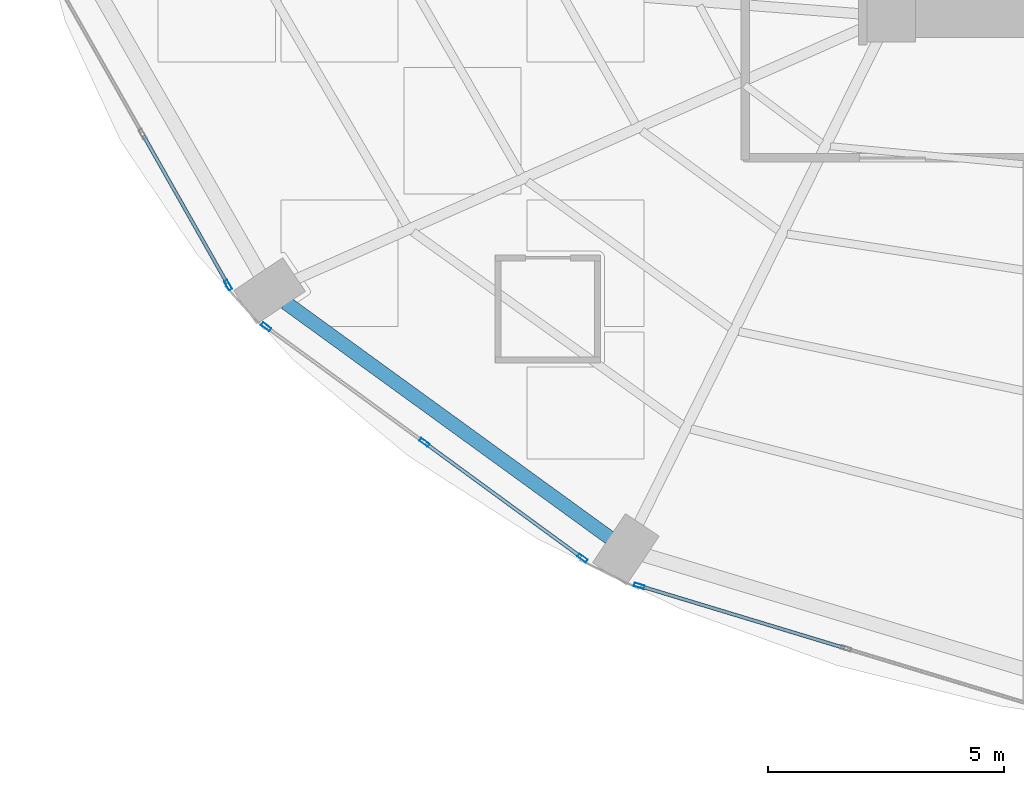
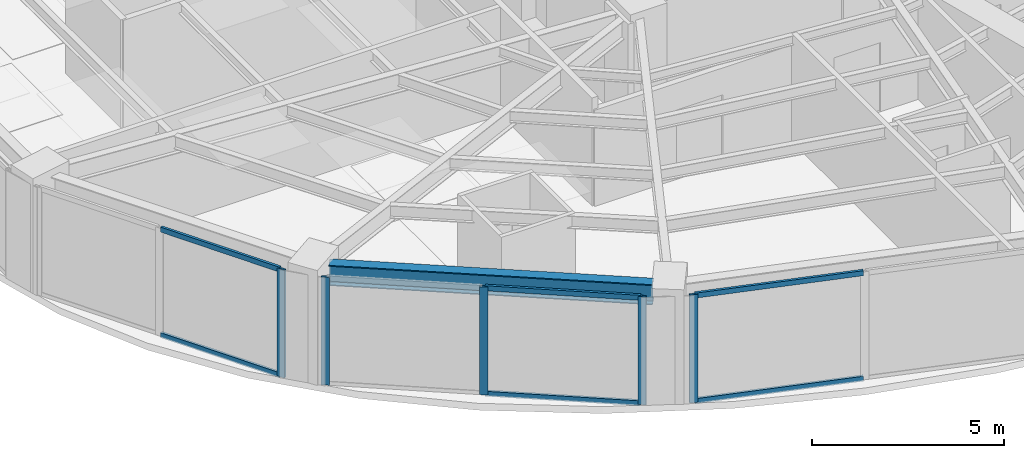
# One storey, part 2 of 25: 11 members, 1 beam, 3 elements without a shape of their own.
"""IFC4 building model written with IfcOpenShell, lengths in metres."""

from ifc_helpers import new_model, si_unit, direction, frame, origin, origin_2d, place, context, subcontext, project, spatial, hollow_rectangle, i_section, extrude, material, layer, layer_set, material_profile, profile_set, type_object, element, aggregate, save


model = new_model("IFC4")

# Units and contexts
model_context = context("Model", 3, precision=1e-05, world=origin(), true_north=direction((0.0, 1.0)))
body_context = subcontext(model_context, "Body", "Model", "MODEL_VIEW")
ifc_project = project(units=[si_unit("LENGTHUNIT", "METRE"), si_unit("AREAUNIT", "SQUARE_METRE"), si_unit("VOLUMEUNIT", "CUBIC_METRE"), si_unit("PLANEANGLEUNIT", "RADIAN"), si_unit("MASSUNIT", "GRAM", prefix="KILO")], contexts=[model_context])

# Site, building, storey
site_placement = place(None, origin())
site = spatial("IfcSite", under=ifc_project, at=site_placement, CompositionType="ELEMENT")
building_placement = place(site_placement, origin())
building = spatial("IfcBuilding", under=site, at=building_placement, Name="Lazwardi Medical Tower", CompositionType="ELEMENT")
storey_placement = place(building_placement, frame((0.0, 0.0, 32.49609375)))
storey = spatial("IfcBuildingStorey", under=building, at=storey_placement, Name="L07", CompositionType="ELEMENT", Elevation=32.49609375)

# Beam
ifc_material_1 = material(Name="Steel S355", Category="steel")
ifc_material_profile_1 = material_profile(ifc_material_1, i_section(OverallWidth=0.300048828125, OverallDepth=0.64990234375, WebThickness=0.01611328125, FlangeThickness=0.031005859375, at=origin_2d()), Name="HEB 650")
ifc_profile_set_1 = profile_set([ifc_material_profile_1], Name="Steel S355")
beam_type = type_object("IfcBeamType", Name="BM-RB-Z1", PredefinedType="BEAM", material=ifc_profile_set_1)
beam_placement = place(storey_placement, frame((13.6201171875, 14.339111328125, 3.10302734375), z_axis=(0.809407079515, -0.587247971159, 0.0), x_axis=(0.587247971159, 0.809407079515, 0.0)))
element("IfcBeam", 1, at=beam_placement, inside=storey, type_object=beam_type, Name="Ring beam RB-02 B14 L07", PredefinedType="BEAM", context=body_context, shape_type="SweptSolid", body=[
    extrude(i_section(OverallWidth=0.300048828125, OverallDepth=0.64990234375, WebThickness=0.01611328125, FlangeThickness=0.031005859375, at=origin_2d()), origin(), (0.0, 0.0, 1.0), 8.473876953125),
])

# Curtain wall, member
ifc_material_2 = material(Name="Anodised bronze aluminium and solar control glazing", Category="aluminium")
ifc_layer = layer(ifc_material_2, 0.199951171875)
ifc_layer_set = layer_set([ifc_layer], Name="Anodised bronze aluminium and solar control glazing")
curtain_wall_type = type_object("IfcCurtainWallType", Name="CW-SYS-02", PredefinedType="NOTDEFINED", material=ifc_layer_set)
curtain_wall_1_placement = place(storey_placement, origin())
curtain_wall_1 = element("IfcCurtainWall", 2, at=curtain_wall_1_placement, inside=storey, type_object=curtain_wall_type, Name="L07 Unitised bronze curtain wall CW-02", PredefinedType="NOTDEFINED")
ifc_material_3 = material(Name="Anodised bronze aluminium", Category="aluminium")
ifc_material_profile_2 = material_profile(ifc_material_3, hollow_rectangle(XDim=0.074951171875, YDim=0.219970703125, WallThickness=0.00390625, at=origin_2d()), Name="ALU-MULLION 220x75x4")
ifc_profile_set_2 = profile_set([ifc_material_profile_2], Name="Anodised bronze aluminium")
member_type_1 = type_object("IfcMemberType", Name="CW-MUL-01", PredefinedType="MULLION", material=ifc_profile_set_2)
member_1_placement = place(storey_placement, frame((12.4033203125, 14.71142578125, 0.0), z_axis=(0.0, 0.0, 1.0), x_axis=(0.870111838823, 0.492854327303, 0.0)))
member_1 = element("IfcMember", 3, at=member_1_placement, type_object=member_type_1, Name="CW-02 mullion 3", PredefinedType="MULLION", context=body_context, shape_type="SweptSolid", body=[
    extrude(hollow_rectangle(XDim=0.074951171875, YDim=0.219970703125, WallThickness=0.00390625, at=origin_2d()), origin(), (0.0, 0.0, 1.0), 3.427978515625),
])

# Curtain wall, members
curtain_wall_2_placement = place(storey_placement, origin())
curtain_wall_2 = element("IfcCurtainWall", 4, at=curtain_wall_2_placement, inside=storey, type_object=curtain_wall_type, Name="L07 Unitised bronze curtain wall CW-02", PredefinedType="NOTDEFINED")
member_2_placement = place(storey_placement, frame((13.209716796875, 13.827392578125, 0.0), z_axis=(0.0, 0.0, 1.0), x_axis=(0.590289307341, 0.807191757663, 0.0)))
member_2 = element("IfcMember", 5, at=member_2_placement, type_object=member_type_1, Name="CW-02 mullion 1", PredefinedType="MULLION", context=body_context, shape_type="SweptSolid", body=[
    extrude(hollow_rectangle(XDim=0.074951171875, YDim=0.219970703125, WallThickness=0.00390625, at=origin_2d()), origin(), (0.0, 0.0, 1.0), 3.427978515625),
])
member_3_placement = place(storey_placement, frame((16.5556640625, 11.380615234375, 0.0), z_axis=(0.0, 0.0, 1.0), x_axis=(0.590289307341, 0.807191757663, 0.0)))
member_3 = element("IfcMember", 6, at=member_3_placement, type_object=member_type_1, Name="CW-02 mullion 2", PredefinedType="MULLION", context=body_context, shape_type="SweptSolid", body=[
    extrude(hollow_rectangle(XDim=0.074951171875, YDim=0.219970703125, WallThickness=0.00390625, at=origin_2d()), origin(), (0.0, 0.0, 1.0), 3.427978515625),
])
member_4_placement = place(storey_placement, frame((19.9013671875, 8.933837890625, 0.0), z_axis=(0.0, 0.0, 1.0), x_axis=(0.590289307341, 0.807191757663, 0.0)))
member_4 = element("IfcMember", 7, at=member_4_placement, type_object=member_type_1, Name="CW-02 mullion 3", PredefinedType="MULLION", context=body_context, shape_type="SweptSolid", body=[
    extrude(hollow_rectangle(XDim=0.074951171875, YDim=0.219970703125, WallThickness=0.00390625, at=origin_2d()), origin(), (0.0, 0.0, 1.0), 3.427978515625),
])

# Curtain wall, member
curtain_wall_3_placement = place(storey_placement, origin())
curtain_wall_3 = element("IfcCurtainWall", 8, at=curtain_wall_3_placement, inside=storey, type_object=curtain_wall_type, Name="L07 Unitised bronze curtain wall CW-02", PredefinedType="NOTDEFINED")
member_5_placement = place(storey_placement, frame((21.1015625, 8.346923828125, 0.0), z_axis=(0.0, 0.0, 1.0), x_axis=(0.2898956909, 0.957058247129, 0.0)))
member_5 = element("IfcMember", 9, at=member_5_placement, type_object=member_type_1, Name="CW-02 mullion 1", PredefinedType="MULLION", context=body_context, shape_type="SweptSolid", body=[
    extrude(hollow_rectangle(XDim=0.074951171875, YDim=0.219970703125, WallThickness=0.00390625, at=origin_2d()), origin(), (0.0, 0.0, 1.0), 3.427978515625),
])

# Member
ifc_material_profile_3 = material_profile(ifc_material_3, hollow_rectangle(XDim=0.074951171875, YDim=0.159912109375, WallThickness=0.00390625, at=origin_2d()), Name="ALU-TRANSOM 160x75x4")
ifc_profile_set_3 = profile_set([ifc_material_profile_3], Name="Anodised bronze aluminium")
member_type_2 = type_object("IfcMemberType", Name="CW-TRN-01", PredefinedType="USERDEFINED", material=ifc_profile_set_3)
member_6_placement = place(storey_placement, frame((10.613037109375, 17.871826171875, 0.037353515625), z_axis=(0.492880614687, -0.870096948429, 0.0), x_axis=(0.870096948429, 0.492880614687, 0.0)))
member_6 = element("IfcMember", 10, at=member_6_placement, type_object=member_type_2, Name="CW-02 transom 2.1", ObjectType="TRANSOM", PredefinedType="USERDEFINED", context=body_context, shape_type="SweptSolid", body=[
    extrude(hollow_rectangle(XDim=0.074951171875, YDim=0.159912109375, WallThickness=0.00390625, at=origin_2d()), origin(), (0.0, 0.0, 1.0), 3.5947265625),
])

member_7_placement = place(storey_placement, frame((10.613037109375, 17.871826171875, 3.390380859375), z_axis=(0.492880614687, -0.870096948429, 0.0), x_axis=(0.870096948429, 0.492880614687, 0.0)))
member_7 = element("IfcMember", 11, at=member_7_placement, type_object=member_type_2, Name="CW-02 transom 2.2", ObjectType="TRANSOM", PredefinedType="USERDEFINED", context=body_context, shape_type="SweptSolid", body=[
    extrude(hollow_rectangle(XDim=0.074951171875, YDim=0.159912109375, WallThickness=0.00390625, at=origin_2d()), origin(), (0.0, 0.0, 1.0), 3.5947265625),
])

aggregate(curtain_wall_1, [member_1, member_6, member_7])

member_8_placement = place(storey_placement, frame((16.5859375, 11.358642578125, 0.037353515625), z_axis=(0.807169053975, -0.590320352271, 0.0), x_axis=(0.590320352271, 0.807169053975, 0.0)))
member_8 = element("IfcMember", 12, at=member_8_placement, type_object=member_type_2, Name="CW-02 transom 2.1", ObjectType="TRANSOM", PredefinedType="USERDEFINED", context=body_context, shape_type="SweptSolid", body=[
    extrude(hollow_rectangle(XDim=0.074951171875, YDim=0.159912109375, WallThickness=0.00390625, at=origin_2d()), origin(), (0.0, 0.0, 1.0), 4.070068359375),
])

member_9_placement = place(storey_placement, frame((16.5859375, 11.358642578125, 3.390380859375), z_axis=(0.807169053975, -0.590320352271, 0.0), x_axis=(0.590320352271, 0.807169053975, 0.0)))
member_9 = element("IfcMember", 13, at=member_9_placement, type_object=member_type_2, Name="CW-02 transom 2.2", ObjectType="TRANSOM", PredefinedType="USERDEFINED", context=body_context, shape_type="SweptSolid", body=[
    extrude(hollow_rectangle(XDim=0.074951171875, YDim=0.159912109375, WallThickness=0.00390625, at=origin_2d()), origin(), (0.0, 0.0, 1.0), 4.070068359375),
])

aggregate(curtain_wall_2, [member_2, member_3, member_4, member_8, member_9])

member_10_placement = place(storey_placement, frame((21.137451171875, 8.3359375, 0.037353515625), z_axis=(0.957062297904, -0.289882317383, 0.0), x_axis=(0.289882317383, 0.957062297904, 0.0)))
member_10 = element("IfcMember", 14, at=member_10_placement, type_object=member_type_2, Name="CW-02 transom 1.1", ObjectType="TRANSOM", PredefinedType="USERDEFINED", context=body_context, shape_type="SweptSolid", body=[
    extrude(hollow_rectangle(XDim=0.074951171875, YDim=0.159912109375, WallThickness=0.00390625, at=origin_2d()), origin(), (0.0, 0.0, 1.0), 4.49658203125),
])

member_11_placement = place(storey_placement, frame((21.137451171875, 8.3359375, 3.390380859375), z_axis=(0.957062297904, -0.289882317383, 0.0), x_axis=(0.289882317383, 0.957062297904, 0.0)))
member_11 = element("IfcMember", 15, at=member_11_placement, type_object=member_type_2, Name="CW-02 transom 1.2", ObjectType="TRANSOM", PredefinedType="USERDEFINED", context=body_context, shape_type="SweptSolid", body=[
    extrude(hollow_rectangle(XDim=0.074951171875, YDim=0.159912109375, WallThickness=0.00390625, at=origin_2d()), origin(), (0.0, 0.0, 1.0), 4.49658203125),
])

aggregate(curtain_wall_3, [member_5, member_10, member_11])

save(model, "model.ifc")
